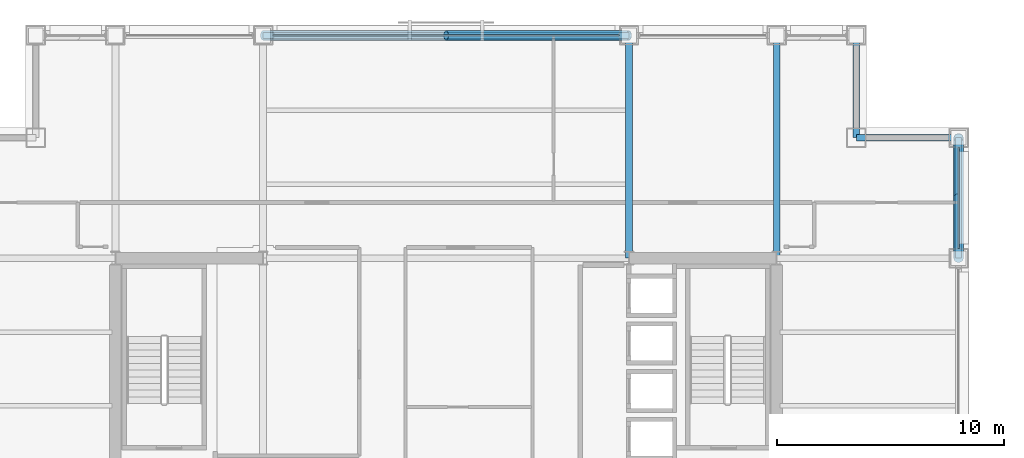
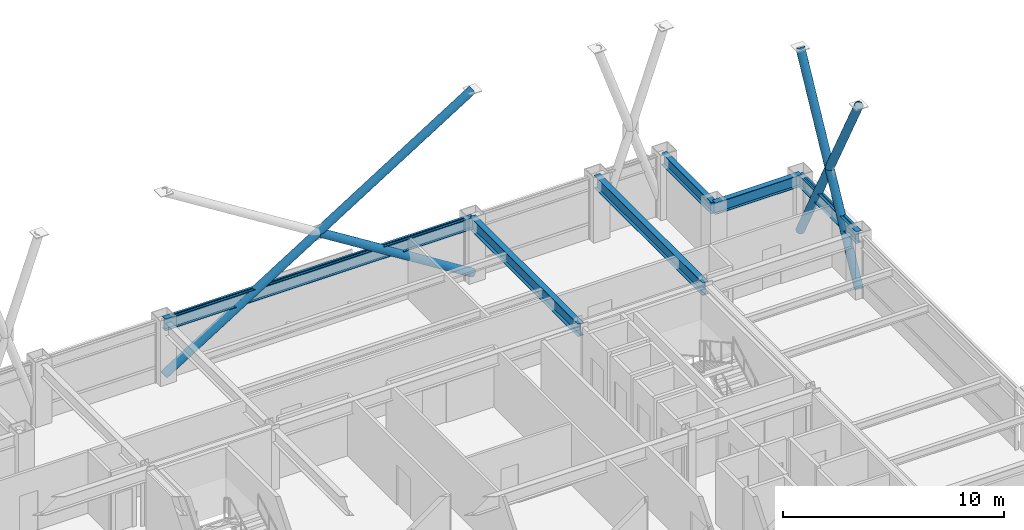
# One storey, part 24 of 34: 7 members, 6 beams, 2 elements without a shape of their own.
"""IFC4 building model written with IfcOpenShell, lengths in metres."""

from ifc_helpers import new_model, si_unit, direction, frame, origin, origin_2d, place, context, subcontext, project, spatial, hollow_rectangle, hollow_circle, i_section, extrude, material, layer, layer_set, material_profile, profile_set, type_object, element, aggregate, save


model = new_model("IFC4")

# Units and contexts
model_context = context("Model", 3, precision=1e-05, world=origin(), true_north=direction((0.0, 1.0)))
body_context = subcontext(model_context, "Body", "Model", "MODEL_VIEW")
ifc_project = project(units=[si_unit("LENGTHUNIT", "METRE"), si_unit("AREAUNIT", "SQUARE_METRE"), si_unit("VOLUMEUNIT", "CUBIC_METRE"), si_unit("PLANEANGLEUNIT", "RADIAN"), si_unit("MASSUNIT", "GRAM", prefix="KILO")], contexts=[model_context])

# Site, building, storey
site_placement = place(None, origin())
site = spatial("IfcSite", under=ifc_project, at=site_placement, CompositionType="ELEMENT")
building_placement = place(site_placement, origin())
building = spatial("IfcBuilding", under=site, at=building_placement, Name="Brelmoor Portico Tower", CompositionType="ELEMENT")
storey_placement = place(building_placement, frame((0.0, 0.0, 99.0)))
storey = spatial("IfcBuildingStorey", under=building, at=storey_placement, Name="L25", CompositionType="ELEMENT", Elevation=99.0)

# Beams
ifc_material_1 = material(Name="Steel Q355B", Category="steel")
ifc_material_profile_1 = material_profile(ifc_material_1, i_section(OverallWidth=0.300048828125, OverallDepth=0.699951171875, WebThickness=0.012939453125, FlangeThickness=0.02392578125, at=origin_2d()), Name="HN 700x300x13x24")
ifc_profile_set_1 = profile_set([ifc_material_profile_1], Name="Steel Q355B")
beam_type_1 = type_object("IfcBeamType", Name="BM-PG-700", PredefinedType="BEAM", material=ifc_profile_set_1)
for number, where, z_axis, x_axis, name in (
    (1, (8.050048828125, 9.75, 3.050048828125), (0.0, 1.0, 0.0), (-1.0, 0.0, 0.0), "L25 Primary Floor Girder PG-09"),
    (2, (14.550048828125, 9.75, 3.050048828125), (0.0, 1.0, 0.0), (-1.0, 0.0, 0.0), "L25 Primary Floor Girder PG-13"),
):
    element("IfcBeam", number, at=place(storey_placement, frame(where, z_axis=z_axis, x_axis=x_axis)), inside=storey, type_object=beam_type_1, Name=name, PredefinedType="BEAM", context=body_context, shape_type="SweptSolid", body=[
        extrude(i_section(OverallWidth=0.300048828125, OverallDepth=0.699951171875, WebThickness=0.012939453125, FlangeThickness=0.02392578125, at=origin_2d()), origin(), (0.0, 0.0, 1.0), 9.800048828125),
    ])
ifc_material_profile_2 = material_profile(ifc_material_1, i_section(OverallWidth=0.280029296875, OverallDepth=0.64990234375, WebThickness=0.012939453125, FlangeThickness=0.02197265625, at=origin_2d()), Name="HN 650x280x13x22")
ifc_profile_set_2 = profile_set([ifc_material_profile_2], Name="Steel Q355B")
beam_type_2 = type_object("IfcBeamType", Name="BM-SP-650", PredefinedType="SPANDREL", material=ifc_profile_set_2)
beam_1_placement = place(storey_placement, frame((18.050048828125, 15.050048828125, 3.074951171875), z_axis=(1.0, 0.0, 0.0), x_axis=(0.0, 1.0, 0.0)))
element("IfcBeam", 3, at=beam_1_placement, inside=storey, type_object=beam_type_2, Name="L25 Perimeter Spandrel Beam SP-09", PredefinedType="SPANDREL", context=body_context, shape_type="SweptSolid", body=[
    extrude(i_section(OverallWidth=0.280029296875, OverallDepth=0.64990234375, WebThickness=0.012939453125, FlangeThickness=0.02197265625, at=origin_2d()), origin(), (0.0, 0.0, 1.0), 4.5),
])
beam_2_placement = place(storey_placement, frame((-8.050048828125, 19.550048828125, 3.074951171875), z_axis=(1.0, 0.0, 0.0), x_axis=(0.0, 1.0, 0.0)))
element("IfcBeam", 4, at=beam_2_placement, inside=storey, type_object=beam_type_2, Name="L25 Perimeter Spandrel Beam SP-12", PredefinedType="SPANDREL", context=body_context, shape_type="SweptSolid", body=[
    extrude(i_section(OverallWidth=0.280029296875, OverallDepth=0.64990234375, WebThickness=0.012939453125, FlangeThickness=0.02197265625, at=origin_2d()), origin(), (0.0, 0.0, 1.0), 16.10009765625),
])
beam_3_placement = place(storey_placement, frame((18.050048828125, 15.050048828125, 3.074951171875), z_axis=(0.0, 1.0, 0.0), x_axis=(-1.0, 0.0, 0.0)))
element("IfcBeam", 5, at=beam_3_placement, inside=storey, type_object=beam_type_2, Name="L25 Perimeter Spandrel Beam SP-21", PredefinedType="SPANDREL", context=body_context, shape_type="SweptSolid", body=[
    extrude(i_section(OverallWidth=0.280029296875, OverallDepth=0.64990234375, WebThickness=0.012939453125, FlangeThickness=0.02197265625, at=origin_2d()), origin(), (0.0, 0.0, 1.0), 4.5),
])
beam_4_placement = place(storey_placement, frame((22.550048828125, 9.75, 3.074951171875), z_axis=(0.0, 1.0, 0.0), x_axis=(-1.0, 0.0, 0.0)))
element("IfcBeam", 6, at=beam_4_placement, inside=storey, type_object=beam_type_2, Name="L25 Perimeter Spandrel Beam SP-24", PredefinedType="SPANDREL", context=body_context, shape_type="SweptSolid", body=[
    extrude(i_section(OverallWidth=0.280029296875, OverallDepth=0.64990234375, WebThickness=0.012939453125, FlangeThickness=0.02197265625, at=origin_2d()), origin(), (0.0, 0.0, 1.0), 5.300048828125),
])

# Members
ifc_material_profile_3 = material_profile(ifc_material_1, hollow_circle(Radius=0.212890625, WallThickness=0.02001953125, at=origin_2d()), Name="CHS 426x20")
ifc_profile_set_3 = profile_set([ifc_material_profile_3], Name="Steel Q355B")
member_type_1 = type_object("IfcMemberType", Name="MB-BELT-DIAG1", PredefinedType="BRACE", material=ifc_profile_set_3)
member_1_placement = place(storey_placement, frame((-8.050048828125, 19.550048828125, 0.25), z_axis=(0.847109476093, 0.0, 0.531418418493), x_axis=(0.0, 1.0, 0.0)))
element("IfcMember", 7, at=member_1_placement, inside=storey, type_object=member_type_1, Name="L25 Continuous Mega-X Brace 052A", PredefinedType="BRACE", context=body_context, shape_type="SweptSolid", body=[
    extrude(hollow_circle(Radius=0.212890625, WallThickness=0.02001953125, at=origin_2d()), origin(), (0.0, 0.0, 1.0), 19.005859375),
])
member_2_placement = place(storey_placement, frame((8.050048828125, 19.550048828125, 0.25), z_axis=(-0.847109476093, 0.0, 0.531418418493), x_axis=(0.0, -1.0, 0.0)))
element("IfcMember", 8, at=member_2_placement, inside=storey, type_object=member_type_1, Name="L25 Split Mega-X Brace 052B1", PredefinedType="BRACE", context=body_context, shape_type="SweptSolid", body=[
    extrude(hollow_circle(Radius=0.212890625, WallThickness=0.02001953125, at=origin_2d()), origin(), (0.0, 0.0, 1.0), 9.5029296875),
])
member_3_placement = place(storey_placement, frame((22.550048828125, 9.75, 0.25), z_axis=(0.0, 0.464661902242, 0.885488179822), x_axis=(-1.0, 0.0, 0.0)))
element("IfcMember", 9, at=member_3_placement, inside=storey, type_object=member_type_1, Name="L25 Continuous Mega-X Brace 056A", PredefinedType="BRACE", context=body_context, shape_type="SweptSolid", body=[
    extrude(hollow_circle(Radius=0.212890625, WallThickness=0.02001953125, at=origin_2d()), origin(), (0.0, 0.0, 1.0), 11.40625),
])
for number, where, z_axis, x_axis, name in (
    (10, (22.550048828125, 15.050048828125, 0.25), (0.0, -0.464678684729, 0.885479372972), (1.0, 0.0, 0.0), "L25 Split Mega-X Brace 056B1"),
    (11, (22.550048828125, 12.39990234375, 5.300048828125), (0.0, -0.464645119255, 0.885496986529), (1.0, 0.0, 0.0), "L25 Split Mega-X Brace 056B2"),
):
    element("IfcMember", number, at=place(storey_placement, frame(where, z_axis=z_axis, x_axis=x_axis)), inside=storey, type_object=member_type_1, Name=name, PredefinedType="BRACE", context=body_context, shape_type="SweptSolid", body=[
        extrude(hollow_circle(Radius=0.212890625, WallThickness=0.02001953125, at=origin_2d()), origin(), (0.0, 0.0, 1.0), 5.703125),
    ])

# Curtain wall, member
ifc_material_2 = material(Name="Anodised Aluminium Alloy 6063-T6", Category="aluminium")
ifc_layer = layer(ifc_material_2, 0.179931640625)
ifc_layer_set = layer_set([ifc_layer], Name="Anodised Aluminium Alloy 6063-T6")
curtain_wall_type = type_object("IfcCurtainWallType", Name="CW-TOWER-Z2-XB", PredefinedType="NOTDEFINED", material=ifc_layer_set)
curtain_wall_1_placement = place(storey_placement, origin())
curtain_wall_1 = element("IfcCurtainWall", 12, at=curtain_wall_1_placement, inside=storey, type_object=curtain_wall_type, Name="L25 Curtain Wall CW-L25-02-3", PredefinedType="NOTDEFINED")
ifc_material_profile_4 = material_profile(ifc_material_2, hollow_rectangle(XDim=0.06494140625, YDim=0.139892578125, WallThickness=0.00390625, at=origin_2d()), Name="ALU TRANSOM 65x140")
ifc_profile_set_4 = profile_set([ifc_material_profile_4], Name="Anodised Aluminium Alloy 6063-T6")
member_type_2 = type_object("IfcMemberType", Name="MB-CW-TRAN-140", PredefinedType="USERDEFINED", material=ifc_profile_set_4)
member_4_placement = place(storey_placement, frame((-7.614990234375, 19.550048828125, 3.330078125), z_axis=(1.0, 0.0, 0.0), x_axis=(0.0, 1.0, 0.0)))
member_4 = element("IfcMember", 13, at=member_4_placement, type_object=member_type_2, Name="CW-L25-02-3 Transom 1-00", ObjectType="TRANSOM", PredefinedType="USERDEFINED", context=body_context, shape_type="SweptSolid", body=[
    extrude(hollow_rectangle(XDim=0.06494140625, YDim=0.139892578125, WallThickness=0.00390625, at=origin_2d()), origin(), (0.0, 0.0, 1.0), 15.22998046875),
])
aggregate(curtain_wall_1, [member_4])

curtain_wall_2_placement = place(storey_placement, origin())
curtain_wall_2 = element("IfcCurtainWall", 14, at=curtain_wall_2_placement, inside=storey, type_object=curtain_wall_type, Name="L25 Curtain Wall CW-L25-4R-2", PredefinedType="NOTDEFINED")
member_5_placement = place(storey_placement, frame((22.550048828125, 10.18505859375, 3.330078125), z_axis=(0.0, 1.0, 0.0), x_axis=(-1.0, 0.0, 0.0)))
member_5 = element("IfcMember", 15, at=member_5_placement, type_object=member_type_2, Name="CW-L25-4R-2 Transom 1-00", ObjectType="TRANSOM", PredefinedType="USERDEFINED", context=body_context, shape_type="SweptSolid", body=[
    extrude(hollow_rectangle(XDim=0.06494140625, YDim=0.139892578125, WallThickness=0.00390625, at=origin_2d()), origin(), (0.0, 0.0, 1.0), 4.429931640625),
])
aggregate(curtain_wall_2, [member_5])

save(model, "model.ifc")
